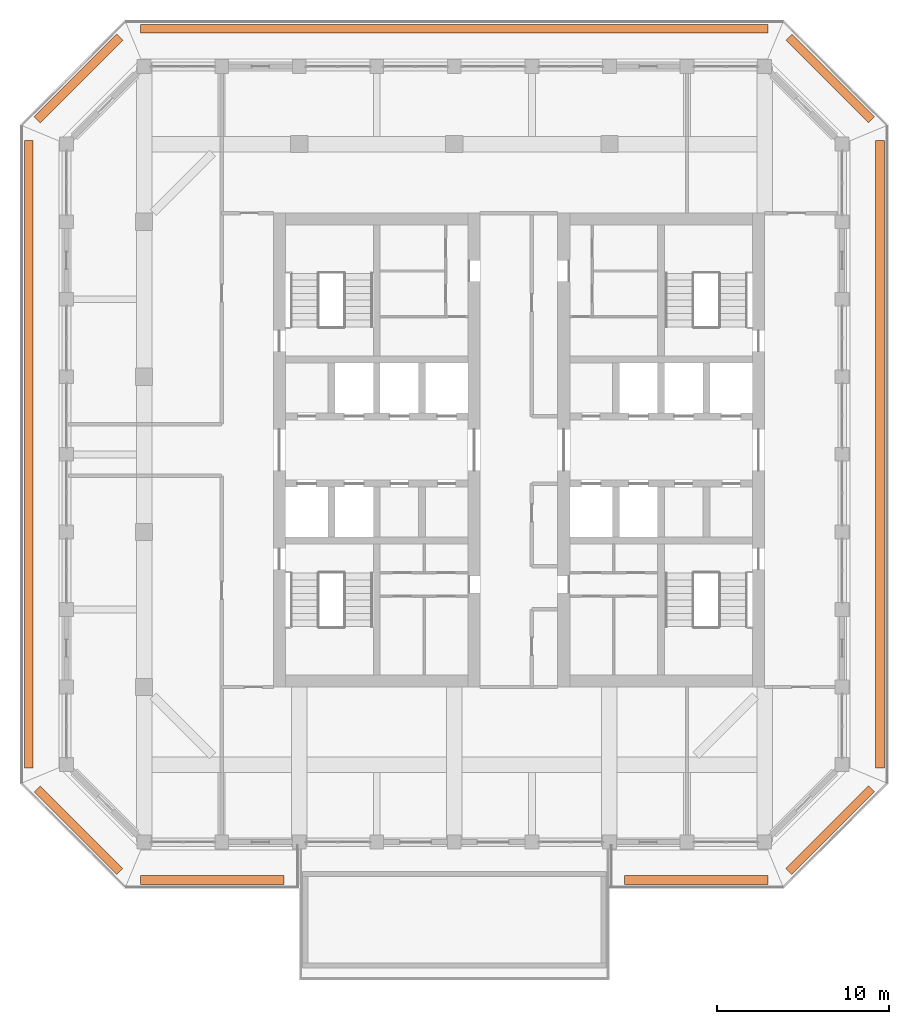
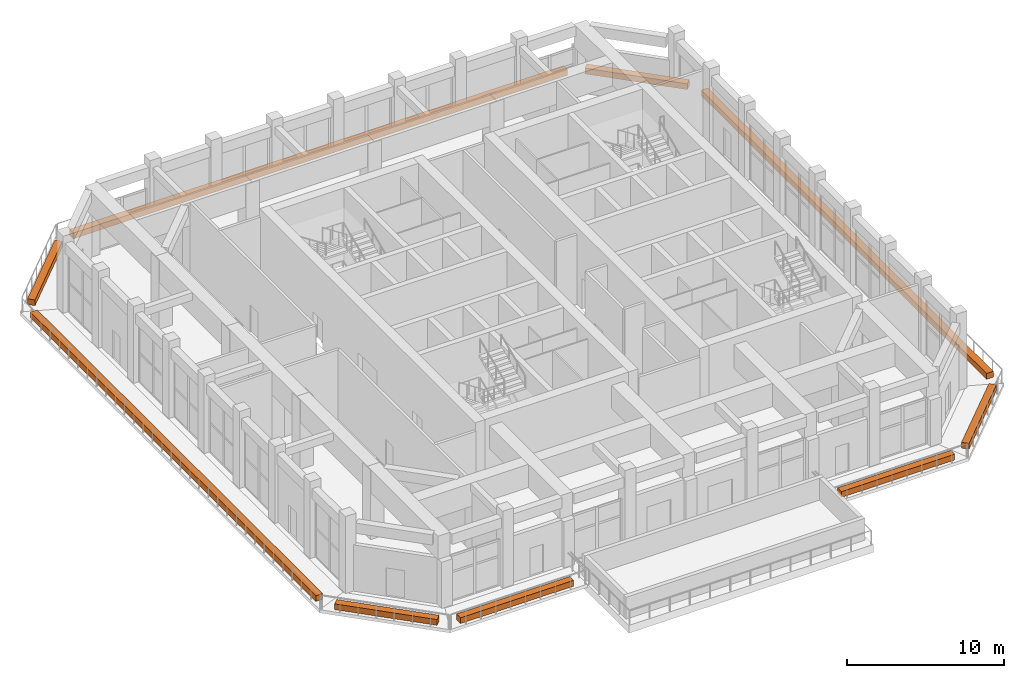
# One storey, part 20 of 20: 9 proxies.
"""IFC4 building model written with IfcOpenShell, lengths in metres."""

from ifc_helpers import new_model, si_unit, direction, frame, origin, origin_2d, place, context, subcontext, project, spatial, rectangle, extrude, material, type_object, element, save


model = new_model("IFC4")

# Units and contexts
model_context = context("Model", 3, precision=1e-05, world=origin(), true_north=direction((0.0, 1.0)))
body_context = subcontext(model_context, "Body", "Model", "MODEL_VIEW")
ifc_project = project(units=[si_unit("LENGTHUNIT", "METRE"), si_unit("AREAUNIT", "SQUARE_METRE"), si_unit("VOLUMEUNIT", "CUBIC_METRE"), si_unit("PLANEANGLEUNIT", "RADIAN"), si_unit("MASSUNIT", "GRAM", prefix="KILO")], contexts=[model_context])

# Site, building, storey
site_placement = place(None, origin())
site = spatial("IfcSite", under=ifc_project, at=site_placement, CompositionType="ELEMENT")
building_placement = place(site_placement, origin())
building = spatial("IfcBuilding", under=site, at=building_placement, Name="Corbel Stack Research Tower", CompositionType="ELEMENT")
storey_placement = place(building_placement, frame((0.0, 0.0, 295.0)))
storey = spatial("IfcBuildingStorey", under=building, at=storey_placement, Name="L67", CompositionType="ELEMENT", Elevation=295.0)

# Proxies
ifc_material = material(Name="Concrete C45/55", Category="concrete")
building_element_proxy_type = type_object("IfcBuildingElementProxyType", Name="Planter box", PredefinedType="USERDEFINED", material=ifc_material)
for number, where, z_axis, x_axis, name in (
    (1, (-14.03759765625, -20.199951171875, 0.0), (0.0, 0.0, 1.0), (1.0, 0.0, 0.0), "Planter L67 S"),
    (2, (14.03759765625, -20.199951171875, 0.0), (0.0, 0.0, 1.0), (1.0, 0.0, 0.0), "Planter L67 S"),
):
    element("IfcBuildingElementProxy", number, at=place(storey_placement, frame(where, z_axis=z_axis, x_axis=x_axis)), inside=storey, type_object=building_element_proxy_type, Name=name, ObjectType="PLANTER", PredefinedType="USERDEFINED", context=body_context, shape_type="SweptSolid", body=[
        extrude(rectangle(XDim=8.335205078125, YDim=0.5, at=origin_2d()), origin(), (0.0, 0.0, 1.0), 0.449951171875),
    ])
proxy_1_placement = place(storey_placement, frame((21.8056640625, -17.3056640625, 0.0), z_axis=(0.0, 0.0, 1.0), x_axis=(0.707106781187, 0.707106781187, 0.0)))
element("IfcBuildingElementProxy", 3, at=proxy_1_placement, inside=storey, type_object=building_element_proxy_type, Name="Planter L67 SE", ObjectType="PLANTER", PredefinedType="USERDEFINED", context=body_context, shape_type="SweptSolid", body=[
    extrude(rectangle(XDim=6.774658203125, YDim=0.5, at=origin_2d()), origin(), (0.0, 0.0, 1.0), 0.449951171875),
])
proxy_2_placement = place(storey_placement, frame((24.699951171875, 4.5, 0.0), z_axis=(0.0, 0.0, 1.0), x_axis=(0.0, 1.0, 0.0)))
element("IfcBuildingElementProxy", 4, at=proxy_2_placement, inside=storey, type_object=building_element_proxy_type, Name="Planter L67 E", ObjectType="PLANTER", PredefinedType="USERDEFINED", context=body_context, shape_type="SweptSolid", body=[
    extrude(rectangle(XDim=36.41064453125, YDim=0.5, at=origin_2d()), origin(), (0.0, 0.0, 1.0), 0.449951171875),
])
proxy_3_placement = place(storey_placement, frame((21.8056640625, 26.3056640625, 0.0), z_axis=(0.0, 0.0, 1.0), x_axis=(-0.707106781187, 0.707106781187, 0.0)))
element("IfcBuildingElementProxy", 5, at=proxy_3_placement, inside=storey, type_object=building_element_proxy_type, Name="Planter L67 NE", ObjectType="PLANTER", PredefinedType="USERDEFINED", context=body_context, shape_type="SweptSolid", body=[
    extrude(rectangle(XDim=6.774658203125, YDim=0.5, at=origin_2d()), origin(), (0.0, 0.0, 1.0), 0.449951171875),
])
proxy_4_placement = place(storey_placement, frame((0.0, 29.199951171875, 0.0), z_axis=(0.0, 0.0, 1.0), x_axis=(-1.0, 0.0, 0.0)))
element("IfcBuildingElementProxy", 6, at=proxy_4_placement, inside=storey, type_object=building_element_proxy_type, Name="Planter L67 N", ObjectType="PLANTER", PredefinedType="USERDEFINED", context=body_context, shape_type="SweptSolid", body=[
    extrude(rectangle(XDim=36.41064453125, YDim=0.5, at=origin_2d()), origin(), (0.0, 0.0, 1.0), 0.449951171875),
])
proxy_5_placement = place(storey_placement, frame((-21.8056640625, 26.3056640625, 0.0), z_axis=(0.0, 0.0, 1.0), x_axis=(-0.707106781187, -0.707106781187, 0.0)))
element("IfcBuildingElementProxy", 7, at=proxy_5_placement, inside=storey, type_object=building_element_proxy_type, Name="Planter L67 NW", ObjectType="PLANTER", PredefinedType="USERDEFINED", context=body_context, shape_type="SweptSolid", body=[
    extrude(rectangle(XDim=6.774658203125, YDim=0.5, at=origin_2d()), origin(), (0.0, 0.0, 1.0), 0.449951171875),
])
proxy_6_placement = place(storey_placement, frame((-24.699951171875, 4.5, 0.0), z_axis=(0.0, 0.0, 1.0), x_axis=(0.0, -1.0, 0.0)))
element("IfcBuildingElementProxy", 8, at=proxy_6_placement, inside=storey, type_object=building_element_proxy_type, Name="Planter L67 W", ObjectType="PLANTER", PredefinedType="USERDEFINED", context=body_context, shape_type="SweptSolid", body=[
    extrude(rectangle(XDim=36.41064453125, YDim=0.5, at=origin_2d()), origin(), (0.0, 0.0, 1.0), 0.449951171875),
])
proxy_7_placement = place(storey_placement, frame((-21.8056640625, -17.3056640625, 0.0), z_axis=(0.0, 0.0, 1.0), x_axis=(0.707106781187, -0.707106781187, 0.0)))
element("IfcBuildingElementProxy", 9, at=proxy_7_placement, inside=storey, type_object=building_element_proxy_type, Name="Planter L67 SW", ObjectType="PLANTER", PredefinedType="USERDEFINED", context=body_context, shape_type="SweptSolid", body=[
    extrude(rectangle(XDim=6.774658203125, YDim=0.5, at=origin_2d()), origin(), (0.0, 0.0, 1.0), 0.449951171875),
])

save(model, "model.ifc")
